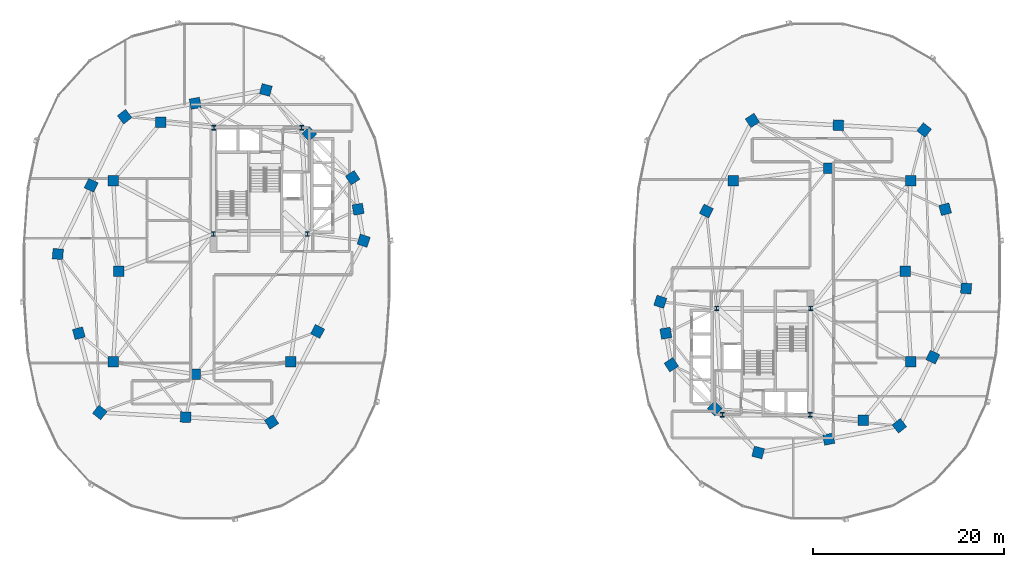
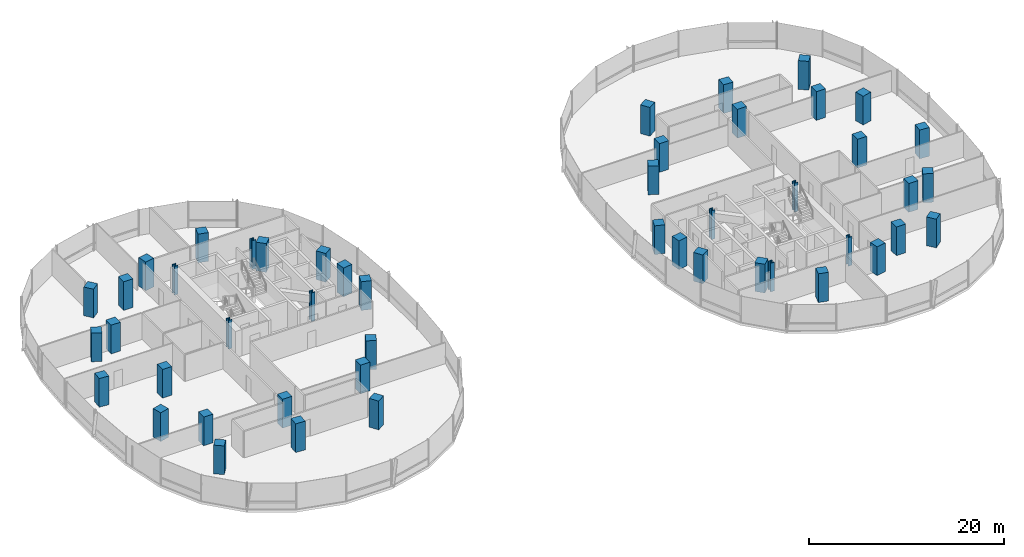
# One storey, part 1 of 21: 48 columns.
"""IFC4 building model written with IfcOpenShell, lengths in metres."""

from ifc_helpers import new_model, si_unit, direction, frame, origin, origin_2d, place, context, subcontext, project, spatial, rectangle, i_section, extrude, material, material_profile, profile_set, type_object, element, save


model = new_model("IFC4")

# Units and contexts
model_context = context("Model", 3, precision=1e-05, world=origin(), true_north=direction((0.0, 1.0)))
body_context = subcontext(model_context, "Body", "Model", "MODEL_VIEW")
ifc_project = project(units=[si_unit("LENGTHUNIT", "METRE"), si_unit("AREAUNIT", "SQUARE_METRE"), si_unit("VOLUMEUNIT", "CUBIC_METRE"), si_unit("PLANEANGLEUNIT", "RADIAN"), si_unit("MASSUNIT", "GRAM", prefix="KILO"), si_unit("THERMODYNAMICTEMPERATUREUNIT", "KELVIN"), si_unit("POWERUNIT", "WATT")], contexts=[model_context])

# Site, building, storey
site_placement = place(None, origin())
site = spatial("IfcSite", under=ifc_project, at=site_placement, CompositionType="ELEMENT")
building_placement = place(site_placement, origin())
building = spatial("IfcBuilding", under=site, at=building_placement, Name="Cundina Bronze Exchange", CompositionType="ELEMENT")
storey_placement = place(building_placement, frame((0.0, 0.0, 96.199951171875)))
storey = spatial("IfcBuildingStorey", under=building, at=storey_placement, Name="L24", CompositionType="ELEMENT", Elevation=96.199951171875)

# Columns
ifc_material_1 = material(Name="Steel ASTM A992 Grade 50", Category="steel")
ifc_material_profile_1 = material_profile(ifc_material_1, i_section(OverallWidth=0.431884765625, OverallDepth=0.498046875, WebThickness=0.0556640625, FlangeThickness=0.0888671875, FilletRadius=0.01806640625, at=origin_2d()), Name="W14X500", Category="steel")
ifc_profile_set_1 = profile_set([ifc_material_profile_1], Name="Steel ASTM A992 Grade 50")
column_type_1 = type_object("IfcColumnType", Name="COL-STL-W14A", PredefinedType="COLUMN", material=ifc_profile_set_1)
for number, where, z_axis, x_axis, name in (
    (1, (-31.300048828125, 3.89990234375, 0.0), (0.0, 0.0, 1.0), (1.0, 0.0, 0.0), "L24 Core Anchor Column W1"),
    (2, (-21.449951171875, 3.89990234375, 0.0), (0.0, 0.0, 1.0), (1.0, 0.0, 0.0), "L24 Core Anchor Column W2"),
    (3, (-22.050048828125, 15.050048828125, 0.0), (0.0, 0.0, 1.0), (1.0, 0.0, 0.0), "L24 Core Anchor Column W3"),
    (4, (-31.25, 15.050048828125, 0.0), (0.0, 0.0, 1.0), (1.0, 0.0, 0.0), "L24 Core Anchor Column W4"),
    (5, (31.300048828125, -3.89990234375, 0.0), (0.0, 0.0, 1.0), (1.0, 0.0, 0.0), "L24 Core Anchor Column E1"),
    (6, (21.449951171875, -3.89990234375, 0.0), (0.0, 0.0, 1.0), (1.0, 0.0, 0.0), "L24 Core Anchor Column E2"),
    (7, (22.050048828125, -15.050048828125, 0.0), (0.0, 0.0, 1.0), (1.0, 0.0, 0.0), "L24 Core Anchor Column E3"),
    (8, (31.25, -15.050048828125, 0.0), (0.0, 0.0, 1.0), (1.0, 0.0, 0.0), "L24 Core Anchor Column E4"),
):
    element("IfcColumn", number, at=place(storey_placement, frame(where, z_axis=z_axis, x_axis=x_axis)), inside=storey, type_object=column_type_1, Name=name, PredefinedType="COLUMN", context=body_context, shape_type="SweptSolid", body=[
        extrude(i_section(OverallWidth=0.431884765625, OverallDepth=0.498046875, WebThickness=0.0556640625, FlangeThickness=0.0888671875, FilletRadius=0.01806640625, at=origin_2d()), origin(), (0.0, 0.0, 1.0), 3.60009765625),
    ])
ifc_material_2 = material(Name="Concrete C60/75", Category="concrete")
ifc_material_profile_2 = material_profile(ifc_material_2, rectangle(XDim=1.10009765625, YDim=1.10009765625, at=origin_2d()), Name="RC1100X1100", Category="concrete")
ifc_profile_set_2 = profile_set([ifc_material_profile_2], Name="Concrete C60/75")
column_type_2 = type_object("IfcColumnType", Name="COL-Z2-1100", PredefinedType="COLUMN", material=ifc_profile_set_2)
for number, where, z_axis, x_axis, name in (
    (9, (-41.199951171875, 0.0, 0.0), (0.0, 0.0, 1.0), (1.0, 0.0, 0.0), "L24 W Inner Ring Column 1"),
    (10, (-41.800048828125, 9.5, 0.0), (0.0, 0.0, 1.0), (1.0, 0.0, 0.0), "L24 W Inner Ring Column 2"),
    (11, (-36.800048828125, 15.60009765625, 0.0), (0.0, 0.0, 1.0), (1.0, 0.0, 0.0), "L24 W Inner Ring Column 3"),
    (12, (-41.800048828125, -9.5, 0.0), (0.0, 0.0, 1.0), (1.0, 0.0, 0.0), "L24 W Inner Ring Column 4"),
    (13, (-33.199951171875, -10.800048828125, 0.0), (0.0, 0.0, 1.0), (1.0, 0.0, 0.0), "L24 W Inner Ring Column 5"),
    (14, (-23.199951171875, -9.5, 0.0), (0.0, 0.0, 1.0), (1.0, 0.0, 0.0), "L24 W Inner Ring Column 6"),
    (15, (41.199951171875, 0.0, 0.0), (0.0, 0.0, 1.0), (1.0, 0.0, 0.0), "L24 E Inner Ring Column 1"),
    (16, (41.800048828125, -9.5, 0.0), (0.0, 0.0, 1.0), (1.0, 0.0, 0.0), "L24 E Inner Ring Column 2"),
    (17, (36.800048828125, -15.60009765625, 0.0), (0.0, 0.0, 1.0), (1.0, 0.0, 0.0), "L24 E Inner Ring Column 3"),
    (18, (41.800048828125, 9.5, 0.0), (0.0, 0.0, 1.0), (1.0, 0.0, 0.0), "L24 E Inner Ring Column 4"),
    (19, (33.199951171875, 10.800048828125, 0.0), (0.0, 0.0, 1.0), (1.0, 0.0, 0.0), "L24 E Inner Ring Column 5"),
    (20, (23.199951171875, 9.5, 0.0), (0.0, 0.0, 1.0), (1.0, 0.0, 0.0), "L24 E Inner Ring Column 6"),
    (21, (-15.550048828125, 3.199951171875, 0.0), (0.0, 0.0, 1.0), (0.315152163383, 0.949041155016, 0.0), "L24 W Perimeter Column 00"),
    (22, (-16.125, 6.5, 0.0), (0.0, 0.0, 1.0), (-0.171585221787, 0.985169280715, 0.0), "L24 W Perimeter Column 01"),
    (23, (-16.699951171875, 9.800048828125, 0.0), (0.0, 0.0, 1.0), (-0.544199833495, 0.838955625301, 0.0), "L24 W Perimeter Column 02"),
    (24, (-21.25, 14.39990234375, 0.0), (0.0, 0.0, 1.0), (-0.703270634186, 0.710922228581, 0.0), "L24 W Perimeter Column 03"),
    (25, (-25.800048828125, 19.0, 0.0), (0.0, 0.0, 1.0), (-0.965970984022, 0.258650455301, 0.0), "L24 W Perimeter Column 04"),
    (26, (-33.199951171875, 17.60009765625, 0.0), (0.0, 0.0, 1.0), (-0.98258037664, -0.185838110843, 0.0), "L24 W Perimeter Column 05"),
    (27, (-40.60009765625, 16.199951171875, 0.0), (0.0, 0.0, 1.0), (-0.785100778485, -0.619368038909, 0.0), "L24 W Perimeter Column 06"),
    (28, (-44.10009765625, 9.0, 0.0), (0.0, 0.0, 1.0), (-0.437115766651, -0.899405251566, 0.0), "L24 W Perimeter Column 07"),
    (29, (-47.60009765625, 1.800048828125, 0.0), (0.0, 0.0, 1.0), (-0.083503921245, -0.996507448611, 0.0), "L24 W Perimeter Column 08"),
    (30, (-45.39990234375, -6.5, 0.0), (0.0, 0.0, 1.0), (0.256289373133, -0.966600102017, 0.0), "L24 W Perimeter Column 09"),
    (31, (-43.199951171875, -14.800048828125, 0.0), (0.0, 0.0, 1.0), (0.786288432137, -0.61785961309, 0.0), "L24 W Perimeter Column 10"),
    (32, (-34.199951171875, -15.300048828125, 0.0), (0.0, 0.0, 1.0), (0.998460188734, -0.055472980025, 0.0), "L24 W Perimeter Column 11"),
    (33, (-25.199951171875, -15.800048828125, 0.0), (0.0, 0.0, 1.0), (0.838099763533, 0.545516989988, 0.0), "L24 W Perimeter Column 12"),
    (34, (-20.375, -6.300048828125, 0.0), (0.0, 0.0, 1.0), (0.452901591366, 0.891560513111, 0.0), "L24 W Perimeter Column 13"),
    (35, (15.550048828125, -3.199951171875, 0.0), (0.0, 0.0, 1.0), (-0.315152163383, -0.949041155016, 0.0), "L24 E Perimeter Column 00"),
    (36, (16.125, -6.5, 0.0), (0.0, 0.0, 1.0), (0.171585221787, -0.985169280715, 0.0), "L24 E Perimeter Column 01"),
    (37, (16.699951171875, -9.800048828125, 0.0), (0.0, 0.0, 1.0), (0.544199833495, -0.838955625301, 0.0), "L24 E Perimeter Column 02"),
    (38, (21.25, -14.39990234375, 0.0), (0.0, 0.0, 1.0), (0.703270634186, -0.710922228581, 0.0), "L24 E Perimeter Column 03"),
    (39, (25.800048828125, -19.0, 0.0), (0.0, 0.0, 1.0), (0.965970984022, -0.258650455301, 0.0), "L24 E Perimeter Column 04"),
    (40, (33.199951171875, -17.60009765625, 0.0), (0.0, 0.0, 1.0), (0.98258037664, 0.185838110843, 0.0), "L24 E Perimeter Column 05"),
    (41, (40.60009765625, -16.199951171875, 0.0), (0.0, 0.0, 1.0), (0.785100778485, 0.619368038909, 0.0), "L24 E Perimeter Column 06"),
    (42, (44.10009765625, -9.0, 0.0), (0.0, 0.0, 1.0), (0.437115766651, 0.899405251566, 0.0), "L24 E Perimeter Column 07"),
    (43, (47.60009765625, -1.800048828125, 0.0), (0.0, 0.0, 1.0), (0.083503921245, 0.996507448611, 0.0), "L24 E Perimeter Column 08"),
    (44, (45.39990234375, 6.5, 0.0), (0.0, 0.0, 1.0), (-0.256289373133, 0.966600102017, 0.0), "L24 E Perimeter Column 09"),
    (45, (43.199951171875, 14.800048828125, 0.0), (0.0, 0.0, 1.0), (-0.786288432137, 0.61785961309, 0.0), "L24 E Perimeter Column 10"),
    (46, (34.199951171875, 15.300048828125, 0.0), (0.0, 0.0, 1.0), (-0.998460188734, 0.055472980025, 0.0), "L24 E Perimeter Column 11"),
    (47, (25.199951171875, 15.800048828125, 0.0), (0.0, 0.0, 1.0), (-0.838099763533, -0.545516989988, 0.0), "L24 E Perimeter Column 12"),
    (48, (20.375, 6.300048828125, 0.0), (0.0, 0.0, 1.0), (-0.452901591366, -0.891560513111, 0.0), "L24 E Perimeter Column 13"),
):
    element("IfcColumn", number, at=place(storey_placement, frame(where, z_axis=z_axis, x_axis=x_axis)), inside=storey, type_object=column_type_2, Name=name, PredefinedType="COLUMN", context=body_context, shape_type="SweptSolid", body=[
        extrude(rectangle(XDim=1.10009765625, YDim=1.10009765625, at=origin_2d()), origin(), (0.0, 0.0, 1.0), 3.60009765625),
    ])

save(model, "model.ifc")
